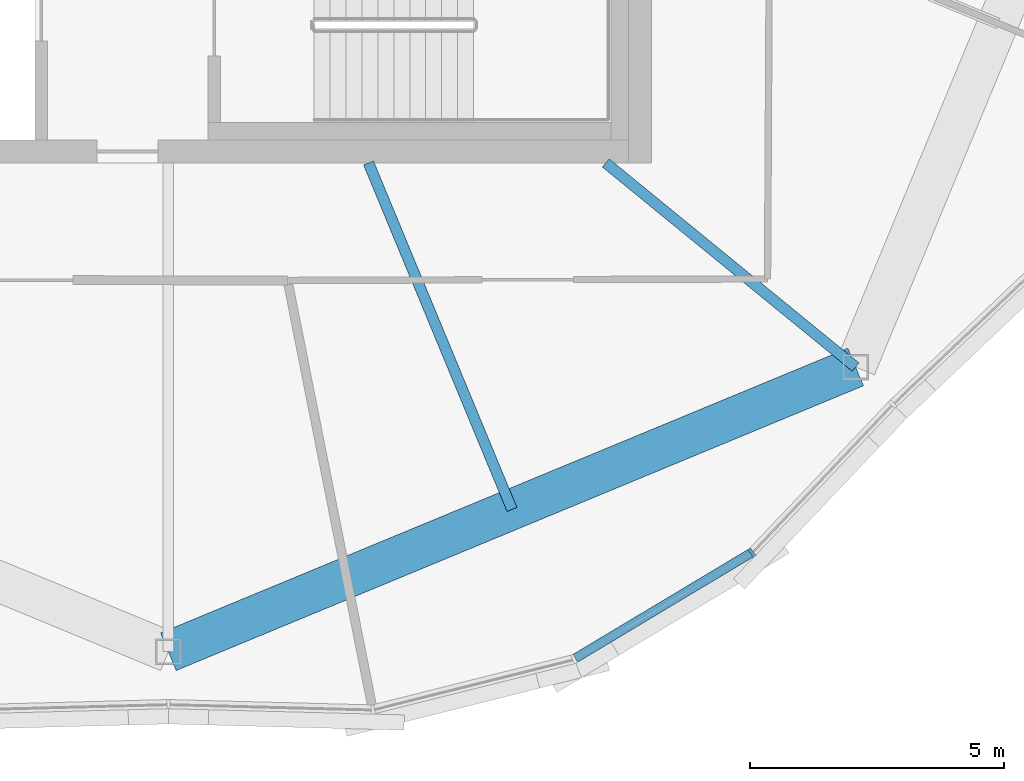
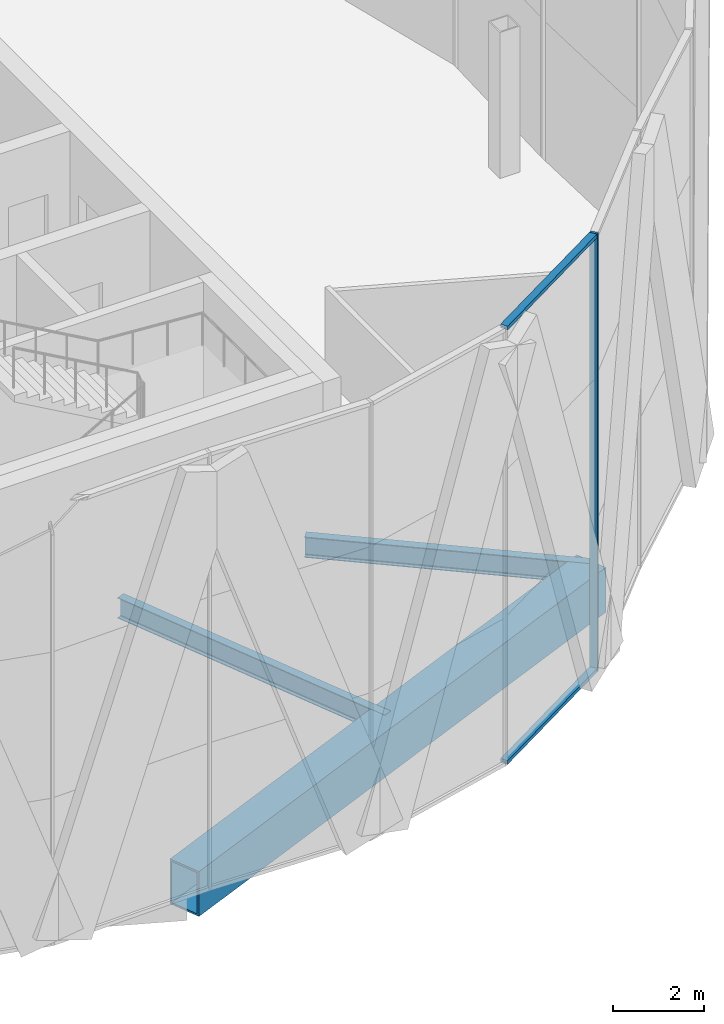
# One storey, part 4 of 22: 3 beams, 3 members, 1 element without a shape of its own.
"""IFC4 building model written with IfcOpenShell, lengths in metres."""

import ifcopenshell
import ifcopenshell.guid

model = None  # the IFC model being written
_history = None  # IfcOwnerHistory: only IFC2X3 demands one
_inside = {}  # id of a spatial element -> (the spatial element, [elements in it])
_under = {}  # id of a project, library or spatial element -> (it, [spatial elements below it])
_declared = {}  # id of a project -> (the project, [libraries it declares])
_typed = {}  # id of a type object -> (the type object, [elements of that type])
_made_of = {}  # id of a material, layer set ... -> (it, [elements and type objects made of it])


def new_model(schema):
    """Start an empty IFC model of exactly this schema.

    Asked for "IFC4X3", IfcOpenShell would pick the latest addendum, in which some entities
    have other attributes; the version numbers below select the first issue.
    IFC2X3 requires an IfcOwnerHistory on every rooted entity: one is made here for all.
    """
    global model, _history
    if schema == "IFC4X3":
        model = ifcopenshell.file(schema_version=(4, 3, 0, 0))
    else:
        model = ifcopenshell.file(schema=schema)
    _inside.clear()
    _under.clear()
    _declared.clear()
    _typed.clear()
    _made_of.clear()
    _history = None
    if model.schema == "IFC2X3":
        org = make("IfcOrganization", Name="unknown")
        user = make(
            "IfcPersonAndOrganization",
            ThePerson=make("IfcPerson", FamilyName="unknown"),
            TheOrganization=org,
        )
        app = make(
            "IfcApplication",
            ApplicationDeveloper=org,
            Version="unknown",
            ApplicationFullName="unknown",
            ApplicationIdentifier="unknown",
        )
        _history = make(
            "IfcOwnerHistory",
            OwningUser=user,
            OwningApplication=app,
            ChangeAction="ADDED",
            CreationDate=0,
        )
    return model


def make(cls, **values):
    """One entity of the class cls with the attributes given. An attribute that is None is left unset."""
    return model.create_entity(
        cls, **{name: value for name, value in values.items() if value is not None}
    )


def rooted(cls, **values):
    """An entity with a GlobalId (a new one), such as an element, a storey or a relation."""
    return make(cls, GlobalId=ifcopenshell.guid.new(), OwnerHistory=_history, **values)


def si_unit(unit_type, name, prefix=None):
    """IfcSIUnit, for example si_unit("LENGTHUNIT", "METRE", prefix="MILLI")."""
    return make("IfcSIUnit", UnitType=unit_type, Prefix=prefix, Name=name)


def assignment(units):
    """IfcUnitAssignment: the units of a project."""
    return None if units is None else make("IfcUnitAssignment", Units=units)


def point(xyz):
    """IfcCartesianPoint."""
    return None if xyz is None else make("IfcCartesianPoint", Coordinates=xyz)


def direction(xyz):
    """IfcDirection."""
    return None if xyz is None else make("IfcDirection", DirectionRatios=xyz)


def frame(location, z_axis=None, x_axis=None):
    """IfcAxis2Placement3D, a coordinate frame: its origin and axes. An axis left out is left unset."""
    return make(
        "IfcAxis2Placement3D",
        Location=point(location),
        Axis=direction(z_axis),
        RefDirection=direction(x_axis),
    )


def frame_2d(location, x_axis=None):
    """IfcAxis2Placement2D, a coordinate frame in the plane: its origin and x axis."""
    return make(
        "IfcAxis2Placement2D", Location=point(location), RefDirection=direction(x_axis)
    )


def origin():
    """The frame at (0, 0, 0) with its axes left unset."""
    return frame((0.0, 0.0, 0.0))


def origin_2d():
    """The frame at (0, 0) in the plane with its x axis left unset."""
    return frame_2d((0.0, 0.0))


def place(relative_to, where):
    """IfcLocalPlacement: puts the frame where relative to a parent placement (None: the world)."""
    return make(
        "IfcLocalPlacement", PlacementRelTo=relative_to, RelativePlacement=where
    )


def context(
    kind, dimensions, precision=None, world=None, true_north=None, identifier=None
):
    """IfcGeometricRepresentationContext, for example the 3D "Model" context."""
    return make(
        "IfcGeometricRepresentationContext",
        ContextIdentifier=identifier,
        ContextType=kind,
        CoordinateSpaceDimension=dimensions,
        Precision=precision,
        WorldCoordinateSystem=world,
        TrueNorth=true_north,
    )


def subcontext(parent, identifier, kind, view, scale=None):
    """IfcGeometricRepresentationSubContext, for example "Body" below "Model"."""
    return make(
        "IfcGeometricRepresentationSubContext",
        ContextIdentifier=identifier,
        ContextType=kind,
        ParentContext=parent,
        TargetScale=scale,
        TargetView=view,
    )


def project(units=None, contexts=None):
    """IfcProject with its units and contexts."""
    return rooted(
        "IfcProject",
        Name="project",
        RepresentationContexts=contexts,
        UnitsInContext=assignment(units),
    )


def spatial(cls, under=None, at=None, **own):
    """A site, building, storey or space (cls), placed at a placement, below another one or the project."""
    s = rooted(cls, ObjectPlacement=at, **own)
    if under is not None:
        _under.setdefault(under.id(), (under, []))[1].append(s)
    return s


def profile(cls, at=None, kind="AREA", **sizes):
    """A parametric profile (cls). Its sizes go by their IFC names, for example OverallWidth=200.0."""
    return make(cls, ProfileType=kind, Position=at, **sizes)


def rectangle(**sizes):
    """IfcRectangleProfileDef."""
    return profile("IfcRectangleProfileDef", **sizes)


def hollow_rectangle(**sizes):
    """IfcRectangleHollowProfileDef."""
    return profile("IfcRectangleHollowProfileDef", **sizes)


def i_section(**sizes):
    """IfcIShapeProfileDef."""
    return profile("IfcIShapeProfileDef", **sizes)


def extrude(swept, where, along, depth):
    """IfcExtrudedAreaSolid: the profile swept, set in the frame where, extruded along a direction by depth."""
    return make(
        "IfcExtrudedAreaSolid",
        SweptArea=swept,
        Position=where,
        ExtrudedDirection=direction(along),
        Depth=depth,
    )


def shape(context_of_items, identifier, shape_type, items):
    """IfcShapeRepresentation: the items that make up one representation, for example the "Body"."""
    return make(
        "IfcShapeRepresentation",
        ContextOfItems=context_of_items,
        RepresentationIdentifier=identifier,
        RepresentationType=shape_type,
        Items=items,
    )


def material(Name=None, Category=None):
    """IfcMaterial."""
    return make("IfcMaterial", Name=Name, Category=Category)


def material_profile(
    of_material, cross_section, Name=None, Category=None, Priority=None
):
    """IfcMaterialProfile: a cross section and its material."""
    return make(
        "IfcMaterialProfile",
        Name=Name,
        Material=of_material,
        Profile=cross_section,
        Priority=Priority,
        Category=Category,
    )


def profile_set(profiles, Name=None, composite=None):
    """IfcMaterialProfileSet."""
    return make(
        "IfcMaterialProfileSet",
        Name=Name,
        MaterialProfiles=profiles,
        CompositeProfile=composite,
    )


def made_of(thing, what):
    """Note that an element or type object is made of a material, layer set ...; save() writes the relation."""
    if what is not None:
        _made_of.setdefault(what.id(), (what, []))[1].append(thing)
    return thing


def type_object(cls, material=None, **own):
    """A type object (cls), such as IfcWallType, which elements share."""
    return made_of(rooted(cls, **own), material)


def element(
    cls,
    number,
    at=None,
    inside=None,
    cuts=None,
    type_object=None,
    material=None,
    context=None,
    identifier="Body",
    shape_type=None,
    held_by="IfcProductDefinitionShape",
    body=None,
    shapes=None,
    **own,
):
    """One element of the class cls, such as IfcWall. Its Tag is "e" and its number.

    at: its placement. inside: the storey or other place that contains it. cuts: it is an
    opening in that element (IfcRelVoidsElement). A single representation is given by context,
    identifier, shape_type and body (its items); several are given by shapes. held_by: the class
    of the entity that holds the representations. save() writes the other relations.
    """
    e = rooted(cls, Tag="e%d" % number, ObjectPlacement=at, **own)
    if body is not None:
        shapes = [shape(context, identifier, shape_type, body)]
    if shapes is not None:
        e.Representation = make(held_by, Representations=shapes)
    if inside is not None:
        _inside.setdefault(inside.id(), (inside, []))[1].append(e)
    if cuts is not None:
        rooted(
            "IfcRelVoidsElement", RelatingBuildingElement=cuts, RelatedOpeningElement=e
        )
    if type_object is not None:
        _typed.setdefault(type_object.id(), (type_object, []))[1].append(e)
    return made_of(e, material)


def aggregate(whole, parts):
    """IfcRelAggregates: a whole, such as a stair, and the parts it consists of."""
    return rooted("IfcRelAggregates", RelatingObject=whole, RelatedObjects=parts)


def save(model, path):
    """Write the relations noted so far, then the file.

    IfcRelAggregates (storeys below a building ...), IfcRelContainedInSpatialStructure (elements
    in a storey), IfcRelDefinesByType, IfcRelAssociatesMaterial and IfcRelDeclares: one each for
    every whole, place, type object, material and project.
    """
    for whole, parts in _under.values():
        aggregate(whole, parts)
    for where, things in _inside.values():
        rooted(
            "IfcRelContainedInSpatialStructure",
            RelatedElements=things,
            RelatingStructure=where,
        )
    for kind, things in _typed.values():
        rooted("IfcRelDefinesByType", RelatedObjects=things, RelatingType=kind)
    for what, things in _made_of.values():
        rooted("IfcRelAssociatesMaterial", RelatedObjects=things, RelatingMaterial=what)
    for by, libraries in _declared.values():
        rooted("IfcRelDeclares", RelatingContext=by, RelatedDefinitions=libraries)
    model.write(path)


model = new_model("IFC4")

# Units and contexts
model_context = context("Model", 3, precision=1e-05, world=origin(), true_north=direction((0.0, 1.0)))
body_context = subcontext(model_context, "Body", "Model", "MODEL_VIEW")
ifc_project = project(units=[si_unit("LENGTHUNIT", "METRE"), si_unit("AREAUNIT", "SQUARE_METRE"), si_unit("VOLUMEUNIT", "CUBIC_METRE"), si_unit("PLANEANGLEUNIT", "RADIAN"), si_unit("MASSUNIT", "GRAM", prefix="KILO")], contexts=[model_context])

# Site, building, storey
site_placement = place(None, origin())
site = spatial("IfcSite", under=ifc_project, at=site_placement, CompositionType="ELEMENT")
building_placement = place(site_placement, origin())
building = spatial("IfcBuilding", under=site, at=building_placement, Name="Ogive Gate Towers", CompositionType="ELEMENT")
storey_placement = place(building_placement, frame((0.0, 0.0, 228.89990234375)))
storey = spatial("IfcBuildingStorey", under=building, at=storey_placement, Name="L54", CompositionType="ELEMENT", Elevation=228.89990234375)

# Beams
ifc_material_1 = material(Name="Steel SM460", Category="steel")
ifc_material_profile_1 = material_profile(ifc_material_1, hollow_rectangle(XDim=0.800048828125, YDim=1.199951171875, WallThickness=0.050048828125, at=origin_2d()), Name="BX 1200x800x50")
ifc_profile_set_1 = profile_set([ifc_material_profile_1], Name="Steel SM460")
beam_type_1 = type_object("IfcBeamType", Name="Edge girder BX 1200x800x50", PredefinedType="BEAM", material=ifc_profile_set_1)
beam_1_placement = place(storey_placement, frame((-36.0, -19.110107421875, -0.89990234375), z_axis=(0.923872994947, 0.38269921506, 0.0), x_axis=(-0.38269921506, 0.923872994947, 0.0)))
element("IfcBeam", 1, at=beam_1_placement, inside=storey, type_object=beam_type_1, Name="T1/L54/SBM018", PredefinedType="BEAM", context=body_context, shape_type="SweptSolid", body=[
    extrude(hollow_rectangle(XDim=0.800048828125, YDim=1.199951171875, WallThickness=0.050048828125, at=origin_2d()), origin(), (0.0, 0.0, 1.0), 14.626220703125),
])
ifc_material_2 = material(Name="Steel SM355", Category="steel")
ifc_material_profile_2 = material_profile(ifc_material_2, i_section(OverallWidth=0.2099609375, OverallDepth=0.550048828125, WebThickness=0.010986328125, FlangeThickness=0.01708984375, FilletRadius=0.02392578125, at=origin_2d()), Name="IPE 550")
ifc_profile_set_2 = profile_set([ifc_material_profile_2], Name="Steel SM355")
beam_type_2 = type_object("IfcBeamType", Name="Radial floor beam IPE 550", PredefinedType="BEAM", material=ifc_profile_set_2)
beam_2_placement = place(storey_placement, frame((-32.06494140625, -9.5, -0.574951171875), z_axis=(0.382667649558, -0.923886069806, 0.0), x_axis=(0.923886069806, 0.382667649558, 0.0)))
element("IfcBeam", 2, at=beam_2_placement, inside=storey, type_object=beam_type_2, Name="T1/L54/SBM004", PredefinedType="BEAM", context=body_context, shape_type="SweptSolid", body=[
    extrude(i_section(OverallWidth=0.2099609375, OverallDepth=0.550048828125, WebThickness=0.010986328125, FlangeThickness=0.01708984375, FilletRadius=0.02392578125, at=origin_2d()), origin(), (0.0, 0.0, 1.0), 7.372802734375),
])
beam_3_placement = place(storey_placement, frame((-27.39990234375, -9.5, -0.574951171875), z_axis=(0.774474926523, -0.632604606517, 0.0), x_axis=(0.632604606517, 0.774474926523, 0.0)))
element("IfcBeam", 3, at=beam_3_placement, inside=storey, type_object=beam_type_2, Name="T1/L54/SBM005", PredefinedType="BEAM", context=body_context, shape_type="SweptSolid", body=[
    extrude(i_section(OverallWidth=0.2099609375, OverallDepth=0.550048828125, WebThickness=0.010986328125, FlangeThickness=0.01708984375, FilletRadius=0.02392578125, at=origin_2d()), origin(), (0.0, 0.0, 1.0), 6.343017578125),
])

# Curtain wall, members
ifc_material_3 = material(Name="Pale metal aluminium", Category="aluminium")
curtain_wall_type = type_object("IfcCurtainWallType", Name="Tower unitised wall, high zone", PredefinedType="NOTDEFINED", material=ifc_material_3)
curtain_wall_placement = place(storey_placement, origin())
curtain_wall = element("IfcCurtainWall", 4, at=curtain_wall_placement, inside=storey, type_object=curtain_wall_type, Name="CW2 T1 ECW07", PredefinedType="NOTDEFINED")
ifc_material_profile_3 = material_profile(ifc_material_3, rectangle(XDim=0.179931640625, YDim=0.06005859375, at=origin_2d()), Name="60 x 180 aluminium box")
ifc_profile_set_3 = profile_set([ifc_material_profile_3], Name="Pale metal aluminium")
member_type_1 = type_object("IfcMemberType", Name="Tower unitised wall, high zone mullion 60 x 180", PredefinedType="MULLION", material=ifc_profile_set_3)
member_1_placement = place(storey_placement, frame((-24.526123046875, -17.15771484375, -0.2998046875), z_axis=(0.0, 0.0, 1.0), x_axis=(0.625528657017, -0.780201191521, 0.0)))
member_1 = element("IfcMember", 5, at=member_1_placement, type_object=member_type_1, Name="CW2 mullion", PredefinedType="MULLION", context=body_context, shape_type="SweptSolid", body=[
    extrude(rectangle(XDim=0.179931640625, YDim=0.06005859375, at=origin_2d()), origin(), (0.0, 0.0, 1.0), 11.699951171875),
])
ifc_material_profile_4 = material_profile(ifc_material_3, rectangle(XDim=0.179931640625, YDim=0.10009765625, at=origin_2d()), Name="100 x 180 aluminium box")
ifc_profile_set_4 = profile_set([ifc_material_profile_4], Name="Pale metal aluminium")
member_type_2 = type_object("IfcMemberType", Name="Tower unitised wall, high zone transom 100 x 180", PredefinedType="USERDEFINED", material=ifc_profile_set_4)
member_2_placement = place(storey_placement, frame((-28.0, -19.239990234375, 11.35009765625), z_axis=(0.857674994369, 0.514192185894, 0.0), x_axis=(-0.514192185894, 0.857674994369, 0.0)))
member_2 = element("IfcMember", 6, at=member_2_placement, type_object=member_type_2, Name="CW2 transom", ObjectType="TRANSOM", PredefinedType="USERDEFINED", context=body_context, shape_type="SweptSolid", body=[
    extrude(rectangle(XDim=0.179931640625, YDim=0.10009765625, at=origin_2d()), origin(), (0.0, 0.0, 1.0), 4.021484375),
])
member_3_placement = place(storey_placement, frame((-28.0, -19.239990234375, -0.25), z_axis=(0.857674994369, 0.514192185894, 0.0), x_axis=(-0.514192185894, 0.857674994369, 0.0)))
member_3 = element("IfcMember", 7, at=member_3_placement, type_object=member_type_2, Name="CW2 transom", ObjectType="TRANSOM", PredefinedType="USERDEFINED", context=body_context, shape_type="SweptSolid", body=[
    extrude(rectangle(XDim=0.179931640625, YDim=0.10009765625, at=origin_2d()), origin(), (0.0, 0.0, 1.0), 4.021484375),
])
aggregate(curtain_wall, [member_1, member_2, member_3])

save(model, "model.ifc")
